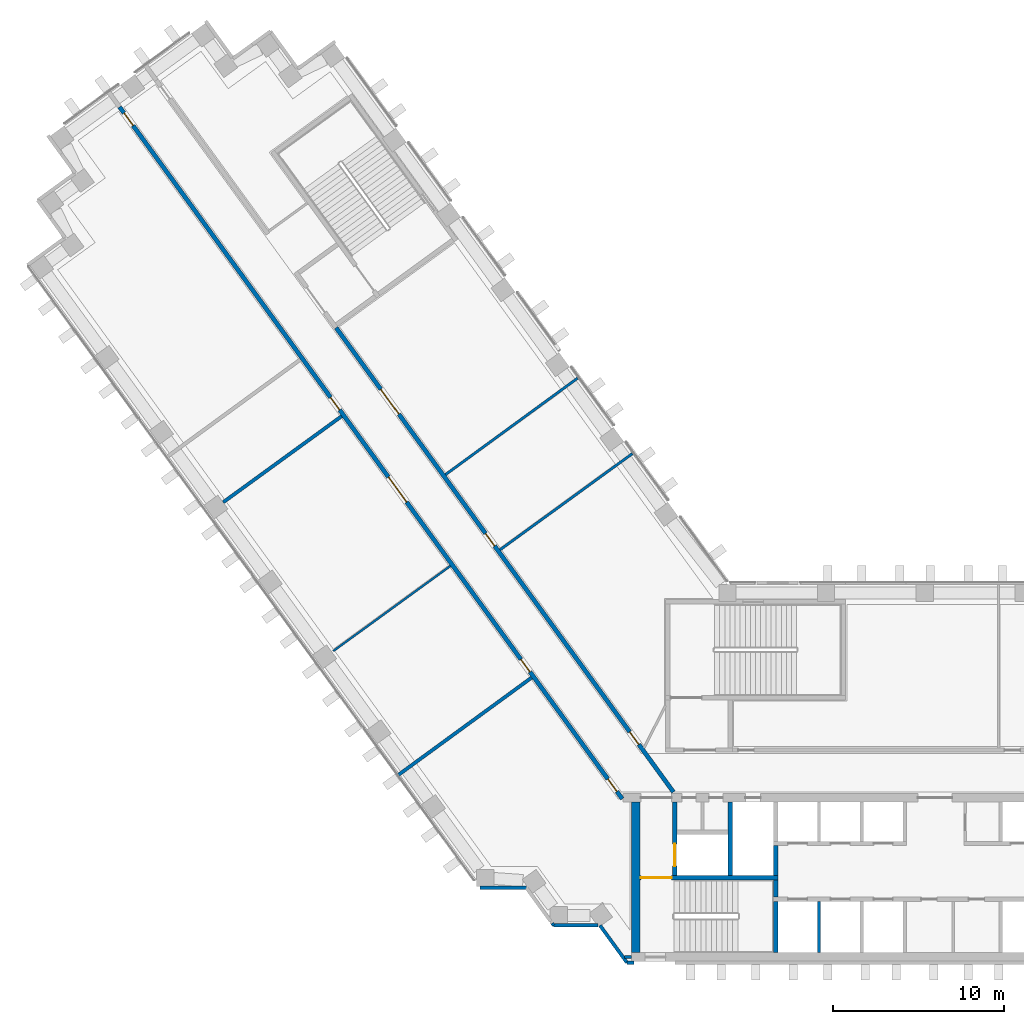
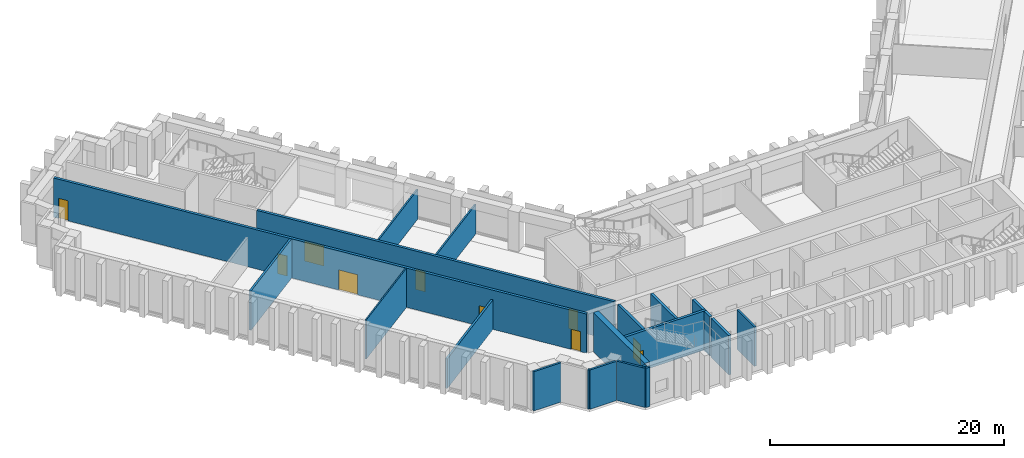
# One storey, part 6 of 15: 21 walls, 10 doors, 10 openings.
"""IFC4 building model written with IfcOpenShell, lengths in metres."""

from ifc_helpers import new_model, si_unit, direction, frame, frame_2d, origin, place, context, subcontext, project, spatial, rectangle, extrude, material, layer, layer_set, type_object, element, fill, save


model = new_model("IFC4")

# Units and contexts
model_context = context("Model", 3, precision=1e-05, world=origin(), true_north=direction((0.0, 1.0)))
body_context = subcontext(model_context, "Body", "Model", "MODEL_VIEW")
ifc_project = project(units=[si_unit("LENGTHUNIT", "METRE"), si_unit("AREAUNIT", "SQUARE_METRE"), si_unit("VOLUMEUNIT", "CUBIC_METRE"), si_unit("PLANEANGLEUNIT", "RADIAN"), si_unit("MASSUNIT", "GRAM", prefix="KILO")], contexts=[model_context])

# Site, building, storey
site_placement = place(None, origin())
site = spatial("IfcSite", under=ifc_project, at=site_placement, CompositionType="ELEMENT")
building_placement = place(site_placement, origin())
building = spatial("IfcBuilding", under=site, at=building_placement, Name="Quipu Civic Tower", CompositionType="ELEMENT")
storey_placement = place(building_placement, frame((0.0, 0.0, 11.5)))
storey = spatial("IfcBuildingStorey", under=building, at=storey_placement, Name="L02", CompositionType="ELEMENT", Elevation=11.5)

# Walls
ifc_material_1 = material(Name="Double gypsum plasterboard with mineral wool")
ifc_layer_1 = layer(ifc_material_1, 0.14990234375)
ifc_layer_set_1 = layer_set([ifc_layer_1], Name="Double gypsum plasterboard with mineral wool")
wall_type_1 = type_object("IfcWallType", Name="Acoustic partition 150 plasterboard", PredefinedType="PARTITIONING", material=ifc_layer_set_1)
for number, where, z_axis, x_axis, name in (
    (1, (-30.85009765625, 17.40087890625, 0.0), (0.0, 0.0, 1.0), (0.807661302092, 0.589646691759, 0.0), "Partition P07"),
    (2, (-19.938232421875, 18.62939453125, 0.0), (0.0, 0.0, 1.0), (-0.80900684162, -0.587799226107, 0.0), "Partition P13"),
):
    element("IfcWall", number, at=place(storey_placement, frame(where, z_axis=z_axis, x_axis=x_axis)), inside=storey, type_object=wall_type_1, Name=name, PredefinedType="PARTITIONING", context=body_context, shape_type="SweptSolid", body=[
        extrude(rectangle(XDim=9.550048828125, YDim=0.14990234375, at=frame_2d((4.77490234375, 0.0))), origin(), (0.0, 0.0, 1.0), 3.10009765625),
    ])
ifc_material_2 = material(Name="Fired clay blockwork", Category="masonry")
ifc_layer_2 = layer(ifc_material_2, 0.199951171875)
ifc_layer_set_2 = layer_set([ifc_layer_2], Name="Fired clay blockwork")
wall_type_2 = type_object("IfcWallType", Name="Blockwork wall 200", PredefinedType="SOLIDWALL", material=ifc_layer_set_2)
wall_1_placement = place(storey_placement, frame((-33.619873046875, -0.14013671875, 0.0), z_axis=(0.0, 0.0, 1.0), x_axis=(0.80760566617, 0.589722890831, 0.0)))
element("IfcWall", 3, at=wall_1_placement, inside=storey, type_object=wall_type_2, Name="Partition P06", PredefinedType="SOLIDWALL", context=body_context, shape_type="SweptSolid", body=[
    extrude(rectangle(XDim=9.65087890625, YDim=0.199951171875, at=frame_2d((4.825439453125, 0.0))), origin(), (0.0, 0.0, 1.0), 3.10009765625),
])
wall_2_placement = place(storey_placement, frame((-36.9111328125, 20.809814453125, 0.0), z_axis=(0.0, 0.0, 1.0), x_axis=(-0.809000394931, -0.587808098789, 0.0)))
element("IfcWall", 4, at=wall_2_placement, inside=storey, type_object=wall_type_2, Name="Partition P08", PredefinedType="SOLIDWALL", context=body_context, shape_type="SweptSolid", body=[
    extrude(rectangle(XDim=8.545166015625, YDim=0.199951171875, at=frame_2d((4.2724609375, 0.0))), origin(), (0.0, 0.0, 1.0), 4.10009765625),
])
ifc_material_3 = material(Name="Concrete C70/85", Category="concrete")
ifc_layer_3 = layer(ifc_material_3, 0.25)
ifc_layer_set_3 = layer_set([ifc_layer_3], Name="Concrete C70/85")
wall_type_3 = type_object("IfcWallType", Name="Core wall 250", PredefinedType="SHEAR", material=ifc_layer_set_3)
wall_3_placement = place(storey_placement, frame((-11.574951171875, -10.5, 0.0), z_axis=(0.0, 0.0, 1.0), x_axis=(0.0, 1.0, 0.0)))
element("IfcWall", 5, at=wall_3_placement, inside=storey, type_object=wall_type_3, Name="Core wall", PredefinedType="SHEAR", context=body_context, shape_type="SweptSolid", body=[
    extrude(rectangle(XDim=3.0, YDim=0.25, at=frame_2d((1.5, 0.0))), origin(), (0.0, 0.0, 1.0), 4.10009765625),
])
wall_4_placement = place(storey_placement, frame((-11.574951171875, -7.25, 0.0), z_axis=(0.0, 0.0, 1.0), x_axis=(0.0, 1.0, 0.0)))
element("IfcWall", 6, at=wall_4_placement, inside=storey, type_object=wall_type_3, Name="Core wall", PredefinedType="SHEAR", context=body_context, shape_type="SweptSolid", body=[
    extrude(rectangle(XDim=1.0, YDim=0.25, at=frame_2d((0.5, 0.0))), origin(), (0.0, 0.0, 1.0), 4.10009765625),
])

# Wall, opening, door
wall_5_placement = place(storey_placement, frame((-11.449951171875, -6.125, 0.0), z_axis=(0.0, 0.0, 1.0), x_axis=(-1.0, 0.0, 0.0)))
wall_5 = element("IfcWall", 7, at=wall_5_placement, inside=storey, type_object=wall_type_3, Name="Core wall", PredefinedType="SHEAR", context=body_context, shape_type="SweptSolid", body=[
    extrude(rectangle(XDim=8.050048828125, YDim=0.25, at=frame_2d((4.02490234375, 0.0))), origin(), (0.0, 0.0, 1.0), 4.10009765625),
])
opening_1_placement = place(wall_5_placement, frame((6.199951171875, 0.0, 0.0)))
opening_1 = element("IfcOpeningElement", 8, at=opening_1_placement, cuts=wall_5, Name="Opening CD-03", PredefinedType="OPENING", context=body_context, shape_type="SweptSolid", body=[
    extrude(rectangle(XDim=1.800048828125, YDim=2.10009765625, at=frame_2d((0.89990234375, 1.050048828125))), frame((0.0, 0.135009765625, 0.0), z_axis=(0.0, -1.0, 0.0), x_axis=(1.0, 0.0, 0.0)), (0.0, 0.0, 1.0), 0.27001953125),
])
ifc_material_4 = material(Name="Fire rated steel door", Category="steel")
door_type_1 = type_object("IfcDoorType", Name="Fire door FD90 double 1800 x 2100", OperationType="NOTDEFINED", PredefinedType="DOOR", material=ifc_material_4)
door_1_placement = place(opening_1_placement, origin())
door_1 = element("IfcDoor", 9, at=door_1_placement, inside=storey, type_object=door_type_1, Name="Door", OperationType="DOUBLE_DOOR_SINGLE_SWING", OverallHeight=2.10009765625, OverallWidth=1.800048828125, PredefinedType="DOOR", context=body_context, shape_type="SweptSolid", body=[
    extrude(rectangle(XDim=1.800048828125, YDim=2.10009765625, at=frame_2d((0.89990234375, 1.050048828125))), frame((0.0, 0.02490234375, 0.0), z_axis=(0.0, -1.0, 0.0), x_axis=(1.0, 0.0, 0.0)), (0.0, 0.0, 1.0), 0.050048828125),
])
fill(opening_1, door_1)

wall_6_placement = place(storey_placement, frame((-17.47509765625, -6.0, 0.0), z_axis=(0.0, 0.0, 1.0), x_axis=(0.0, 1.0, 0.0)))
wall_6 = element("IfcWall", 10, at=wall_6_placement, inside=storey, type_object=wall_type_3, Name="Core wall", PredefinedType="SHEAR", context=body_context, shape_type="SweptSolid", body=[
    extrude(rectangle(XDim=4.300048828125, YDim=0.25, at=frame_2d((2.14990234375, 0.0))), origin(), (0.0, 0.0, 1.0), 4.10009765625),
])
opening_2_placement = place(wall_6_placement, frame((0.550048828125, 0.0, 0.0)))
opening_2 = element("IfcOpeningElement", 11, at=opening_2_placement, cuts=wall_6, Name="Opening LD-FF1", PredefinedType="OPENING", context=body_context, shape_type="SweptSolid", body=[
    extrude(rectangle(XDim=1.300048828125, YDim=2.10009765625, at=frame_2d((0.64990234375, 1.050048828125))), frame((0.0, 0.135009765625, 0.0), z_axis=(0.0, -1.0, 0.0), x_axis=(1.0, 0.0, 0.0)), (0.0, 0.0, 1.0), 0.27001953125),
])
ifc_material_5 = material(Name="Stainless steel", Category="steel")
door_type_2 = type_object("IfcDoorType", Name="Lift landing door 1300 x 2100", OperationType="DOUBLE_DOOR_SLIDING", PredefinedType="DOOR", material=ifc_material_5)
door_2_placement = place(opening_2_placement, origin())
door_2 = element("IfcDoor", 12, at=door_2_placement, inside=storey, type_object=door_type_2, Name="Landing door FF1", OperationType="DOUBLE_DOOR_SLIDING", OverallHeight=2.10009765625, OverallWidth=1.300048828125, PredefinedType="DOOR", context=body_context, shape_type="SweptSolid", body=[
    extrude(rectangle(XDim=1.300048828125, YDim=2.10009765625, at=frame_2d((0.64990234375, 1.050048828125))), frame((0.0, 0.02490234375, 0.0), z_axis=(0.0, -1.0, 0.0), x_axis=(1.0, 0.0, 0.0)), (0.0, 0.0, 1.0), 0.050048828125),
])
fill(opening_2, door_2)

# Walls
wall_7_placement = place(storey_placement, frame((-14.22509765625, -6.0, 0.0), z_axis=(0.0, 0.0, 1.0), x_axis=(0.0, 1.0, 0.0)))
element("IfcWall", 13, at=wall_7_placement, inside=storey, type_object=wall_type_3, Name="Core wall", PredefinedType="SHEAR", context=body_context, shape_type="SweptSolid", body=[
    extrude(rectangle(XDim=4.300048828125, YDim=0.25, at=frame_2d((2.14990234375, 0.0))), origin(), (0.0, 0.0, 1.0), 4.10009765625),
])
wall_8_placement = place(storey_placement, frame((-11.574951171875, -6.0, 0.0), z_axis=(0.0, 0.0, 1.0), x_axis=(0.0, 1.0, 0.0)))
element("IfcWall", 14, at=wall_8_placement, inside=storey, type_object=wall_type_3, Name="Core wall", PredefinedType="SHEAR", context=body_context, shape_type="SweptSolid", body=[
    extrude(rectangle(XDim=1.75, YDim=0.25, at=frame_2d((0.875, 0.0))), origin(), (0.0, 0.0, 1.0), 4.10009765625),
])
ifc_material_6 = material(Name="Concrete C70/85", Category="concrete")
ifc_layer_4 = layer(ifc_material_6, 0.5)
ifc_layer_set_4 = layer_set([ifc_layer_4], Name="Concrete C70/85")
wall_type_4 = type_object("IfcWallType", Name="Core wall 500", PredefinedType="SHEAR", material=ifc_layer_set_4)
wall_9_placement = place(storey_placement, frame((-19.75, -10.5, 0.0), z_axis=(0.0, 0.0, 1.0), x_axis=(0.0, 1.0, 0.0)))
element("IfcWall", 15, at=wall_9_placement, inside=storey, type_object=wall_type_4, Name="Core wall", PredefinedType="SHEAR", context=body_context, shape_type="SweptSolid", body=[
    extrude(rectangle(XDim=8.800048828125, YDim=0.5, at=frame_2d((4.39990234375, 0.0))), origin(), (0.0, 0.0, 1.0), 4.10009765625),
])

# Wall, openings, doors
ifc_material_7 = material(Name="Concrete C50/60", Category="concrete")
ifc_layer_5 = layer(ifc_material_7, 0.25)
ifc_layer_set_5 = layer_set([ifc_layer_5], Name="Concrete C50/60")
wall_type_5 = type_object("IfcWallType", Name="Corridor wall 250 concrete", PredefinedType="SOLIDWALL", material=ifc_layer_set_5)
wall_10_placement = place(storey_placement, frame((-20.531005859375, -1.5234375, 0.0), z_axis=(0.0, 0.0, 1.0), x_axis=(-0.587784522481, 0.809017524614, 0.0)))
wall_10 = element("IfcWall", 16, at=wall_10_placement, inside=storey, type_object=wall_type_5, Name="Corridor wall C02", PredefinedType="SOLIDWALL", context=body_context, shape_type="SweptSolid", body=[
    extrude(rectangle(XDim=49.912353515625, YDim=0.25, at=frame_2d((24.9560546875, 0.0))), origin(), (0.0, 0.0, 1.0), 4.10009765625),
])
opening_3_placement = place(wall_10_placement, frame((48.5703125, 0.0, 0.0)))
opening_3 = element("IfcOpeningElement", 17, at=opening_3_placement, cuts=wall_10, Name="Opening D016", PredefinedType="OPENING", context=body_context, shape_type="SweptSolid", body=[
    extrude(rectangle(XDim=0.89990234375, YDim=2.10009765625, at=frame_2d((0.449951171875, 1.050048828125))), frame((0.0, 0.135009765625, 0.0), z_axis=(0.0, -1.0, 0.0), x_axis=(1.0, 0.0, 0.0)), (0.0, 0.0, 1.0), 0.27001953125),
])
opening_4_placement = place(wall_10_placement, frame((9.165283203125, 0.0, 0.0)))
opening_4 = element("IfcOpeningElement", 18, at=opening_4_placement, cuts=wall_10, Name="Opening D019", PredefinedType="OPENING", context=body_context, shape_type="SweptSolid", body=[
    extrude(rectangle(XDim=0.89990234375, YDim=2.10009765625, at=frame_2d((0.449951171875, 1.050048828125))), frame((0.0, 0.135009765625, 0.0), z_axis=(0.0, -1.0, 0.0), x_axis=(1.0, 0.0, 0.0)), (0.0, 0.0, 1.0), 0.27001953125),
])
opening_5_placement = place(wall_10_placement, frame((21.416015625, 0.0, 0.0)))
opening_5 = element("IfcOpeningElement", 19, at=opening_5_placement, cuts=wall_10, Name="Opening D018", PredefinedType="OPENING", context=body_context, shape_type="SweptSolid", body=[
    extrude(rectangle(XDim=1.800048828125, YDim=2.10009765625, at=frame_2d((0.89990234375, 1.050048828125))), frame((0.0, 0.135009765625, 0.0), z_axis=(0.0, -1.0, 0.0), x_axis=(1.0, 0.0, 0.0)), (0.0, 0.0, 1.0), 0.27001953125),
])
opening_6_placement = place(wall_10_placement, frame((28.06591796875, 0.0, 0.0)))
opening_6 = element("IfcOpeningElement", 20, at=opening_6_placement, cuts=wall_10, Name="Opening D017", PredefinedType="OPENING", context=body_context, shape_type="SweptSolid", body=[
    extrude(rectangle(XDim=0.89990234375, YDim=2.10009765625, at=frame_2d((0.449951171875, 1.050048828125))), frame((0.0, 0.135009765625, 0.0), z_axis=(0.0, -1.0, 0.0), x_axis=(1.0, 0.0, 0.0)), (0.0, 0.0, 1.0), 0.27001953125),
])
opening_7_placement = place(wall_10_placement, frame((0.53271484375, 0.0, 0.0)))
opening_7 = element("IfcOpeningElement", 21, at=opening_7_placement, cuts=wall_10, Name="Opening D020", PredefinedType="OPENING", context=body_context, shape_type="SweptSolid", body=[
    extrude(rectangle(XDim=0.89990234375, YDim=2.10009765625, at=frame_2d((0.449951171875, 1.050048828125))), frame((0.0, 0.135009765625, 0.0), z_axis=(0.0, -1.0, 0.0), x_axis=(1.0, 0.0, 0.0)), (0.0, 0.0, 1.0), 0.27001953125),
])
ifc_material_8 = material(Name="Fire rated timber door set with metal frame", Category="wood")
door_type_3 = type_object("IfcDoorType", Name="Double door 1800 x 2100 FD60", OperationType="DOUBLE_DOOR_SINGLE_SWING", PredefinedType="DOOR", material=ifc_material_8)
door_3_placement = place(opening_5_placement, origin())
door_3 = element("IfcDoor", 22, at=door_3_placement, inside=storey, type_object=door_type_3, Name="Door D018", OperationType="DOUBLE_DOOR_SINGLE_SWING", OverallHeight=2.10009765625, OverallWidth=1.800048828125, PredefinedType="DOOR", context=body_context, shape_type="SweptSolid", body=[
    extrude(rectangle(XDim=1.800048828125, YDim=2.10009765625, at=frame_2d((0.89990234375, 1.050048828125))), frame((0.0, 0.02490234375, 0.0), z_axis=(0.0, -1.0, 0.0), x_axis=(1.0, 0.0, 0.0)), (0.0, 0.0, 1.0), 0.050048828125),
])
fill(opening_5, door_3)
ifc_material_9 = material(Name="Fire rated timber door set with metal frame", Category="wood")
door_type_4 = type_object("IfcDoorType", Name="Single door 900 x 2100 FD60", OperationType="NOTDEFINED", PredefinedType="DOOR", material=ifc_material_9)
door_4_placement = place(opening_3_placement, origin())
door_4 = element("IfcDoor", 23, at=door_4_placement, inside=storey, type_object=door_type_4, Name="Door D016", OperationType="SINGLE_SWING_RIGHT", OverallHeight=2.10009765625, OverallWidth=0.89990234375, PredefinedType="DOOR", context=body_context, shape_type="SweptSolid", body=[
    extrude(rectangle(XDim=0.89990234375, YDim=2.10009765625, at=frame_2d((0.449951171875, 1.050048828125))), frame((0.0, 0.02490234375, 0.0), z_axis=(0.0, -1.0, 0.0), x_axis=(1.0, 0.0, 0.0)), (0.0, 0.0, 1.0), 0.050048828125),
])
fill(opening_3, door_4)
door_5_placement = place(opening_4_placement, origin())
door_5 = element("IfcDoor", 24, at=door_5_placement, inside=storey, type_object=door_type_4, Name="Door D019", OperationType="SINGLE_SWING_LEFT", OverallHeight=2.10009765625, OverallWidth=0.89990234375, PredefinedType="DOOR", context=body_context, shape_type="SweptSolid", body=[
    extrude(rectangle(XDim=0.89990234375, YDim=2.10009765625, at=frame_2d((0.449951171875, 1.050048828125))), frame((0.0, 0.02490234375, 0.0), z_axis=(0.0, -1.0, 0.0), x_axis=(1.0, 0.0, 0.0)), (0.0, 0.0, 1.0), 0.050048828125),
])
fill(opening_4, door_5)
door_6_placement = place(opening_6_placement, origin())
door_6 = element("IfcDoor", 25, at=door_6_placement, inside=storey, type_object=door_type_4, Name="Door D017", OperationType="SINGLE_SWING_LEFT", OverallHeight=2.10009765625, OverallWidth=0.89990234375, PredefinedType="DOOR", context=body_context, shape_type="SweptSolid", body=[
    extrude(rectangle(XDim=0.89990234375, YDim=2.10009765625, at=frame_2d((0.449951171875, 1.050048828125))), frame((0.0, 0.02490234375, 0.0), z_axis=(0.0, -1.0, 0.0), x_axis=(1.0, 0.0, 0.0)), (0.0, 0.0, 1.0), 0.050048828125),
])
fill(opening_6, door_6)
door_7_placement = place(opening_7_placement, origin())
door_7 = element("IfcDoor", 26, at=door_7_placement, inside=storey, type_object=door_type_4, Name="Door D020", OperationType="SINGLE_SWING_LEFT", OverallHeight=2.10009765625, OverallWidth=0.89990234375, PredefinedType="DOOR", context=body_context, shape_type="SweptSolid", body=[
    extrude(rectangle(XDim=0.89990234375, YDim=2.10009765625, at=frame_2d((0.449951171875, 1.050048828125))), frame((0.0, 0.02490234375, 0.0), z_axis=(0.0, -1.0, 0.0), x_axis=(1.0, 0.0, 0.0)), (0.0, 0.0, 1.0), 0.050048828125),
])
fill(opening_7, door_7)

wall_11_placement = place(storey_placement, frame((-37.231689453125, 25.9716796875, 0.0), z_axis=(0.0, 0.0, 1.0), x_axis=(0.587786323093, -0.809016216391, 0.0)))
wall_11 = element("IfcWall", 27, at=wall_11_placement, inside=storey, type_object=wall_type_5, Name="Corridor wall C04", PredefinedType="SOLIDWALL", context=body_context, shape_type="SweptSolid", body=[
    extrude(rectangle(XDim=33.4931640625, YDim=0.25, at=frame_2d((16.74658203125, 0.0))), origin(), (0.0, 0.0, 1.0), 4.10009765625),
])
opening_8_placement = place(wall_11_placement, frame((4.4375, 0.0, 0.0)))
opening_8 = element("IfcOpeningElement", 28, at=opening_8_placement, cuts=wall_11, Name="Opening D013", PredefinedType="OPENING", context=body_context, shape_type="SweptSolid", body=[
    extrude(rectangle(XDim=1.800048828125, YDim=2.10009765625, at=frame_2d((0.89990234375, 1.050048828125))), frame((0.0, 0.135009765625, 0.0), z_axis=(0.0, -1.0, 0.0), x_axis=(1.0, 0.0, 0.0)), (0.0, 0.0, 1.0), 0.27001953125),
])
opening_9_placement = place(wall_11_placement, frame((29.151611328125, 0.0, 0.0)))
opening_9 = element("IfcOpeningElement", 29, at=opening_9_placement, cuts=wall_11, Name="Opening D015", PredefinedType="OPENING", context=body_context, shape_type="SweptSolid", body=[
    extrude(rectangle(XDim=0.89990234375, YDim=2.10009765625, at=frame_2d((0.449951171875, 1.050048828125))), frame((0.0, 0.135009765625, 0.0), z_axis=(0.0, -1.0, 0.0), x_axis=(1.0, 0.0, 0.0)), (0.0, 0.0, 1.0), 0.27001953125),
])
opening_10_placement = place(wall_11_placement, frame((14.83544921875, 0.0, 0.0)))
opening_10 = element("IfcOpeningElement", 30, at=opening_10_placement, cuts=wall_11, Name="Opening D014", PredefinedType="OPENING", context=body_context, shape_type="SweptSolid", body=[
    extrude(rectangle(XDim=0.89990234375, YDim=2.10009765625, at=frame_2d((0.449951171875, 1.050048828125))), frame((0.0, 0.135009765625, 0.0), z_axis=(0.0, -1.0, 0.0), x_axis=(1.0, 0.0, 0.0)), (0.0, 0.0, 1.0), 0.27001953125),
])
door_8_placement = place(opening_8_placement, origin())
door_8 = element("IfcDoor", 31, at=door_8_placement, inside=storey, type_object=door_type_3, Name="Door D013", OperationType="DOUBLE_DOOR_SINGLE_SWING", OverallHeight=2.10009765625, OverallWidth=1.800048828125, PredefinedType="DOOR", context=body_context, shape_type="SweptSolid", body=[
    extrude(rectangle(XDim=1.800048828125, YDim=2.10009765625, at=frame_2d((0.89990234375, 1.050048828125))), frame((0.0, 0.02490234375, 0.0), z_axis=(0.0, -1.0, 0.0), x_axis=(1.0, 0.0, 0.0)), (0.0, 0.0, 1.0), 0.050048828125),
])
fill(opening_8, door_8)
door_9_placement = place(opening_9_placement, origin())
door_9 = element("IfcDoor", 32, at=door_9_placement, inside=storey, type_object=door_type_4, Name="Door D015", OperationType="SINGLE_SWING_RIGHT", OverallHeight=2.10009765625, OverallWidth=0.89990234375, PredefinedType="DOOR", context=body_context, shape_type="SweptSolid", body=[
    extrude(rectangle(XDim=0.89990234375, YDim=2.10009765625, at=frame_2d((0.449951171875, 1.050048828125))), frame((0.0, 0.02490234375, 0.0), z_axis=(0.0, -1.0, 0.0), x_axis=(1.0, 0.0, 0.0)), (0.0, 0.0, 1.0), 0.050048828125),
])
fill(opening_9, door_9)
door_10_placement = place(opening_10_placement, origin())
door_10 = element("IfcDoor", 33, at=door_10_placement, inside=storey, type_object=door_type_4, Name="Door D014", OperationType="SINGLE_SWING_RIGHT", OverallHeight=2.10009765625, OverallWidth=0.89990234375, PredefinedType="DOOR", context=body_context, shape_type="SweptSolid", body=[
    extrude(rectangle(XDim=0.89990234375, YDim=2.10009765625, at=frame_2d((0.449951171875, 1.050048828125))), frame((0.0, 0.02490234375, 0.0), z_axis=(0.0, -1.0, 0.0), x_axis=(1.0, 0.0, 0.0)), (0.0, 0.0, 1.0), 0.050048828125),
])
fill(opening_10, door_10)

# Walls
ifc_material_10 = material(Name="Gypsum plasterboard on light gauge framing")
ifc_layer_6 = layer(ifc_material_10, 0.1201171875)
ifc_layer_set_6 = layer_set([ifc_layer_6], Name="Gypsum plasterboard on light gauge framing")
wall_type_6 = type_object("IfcWallType", Name="Partition 120 plasterboard", PredefinedType="PARTITIONING", material=ifc_layer_set_6)
wall_12_placement = place(storey_placement, frame((-30.563232421875, 12.07177734375, 0.0), z_axis=(0.0, 0.0, 1.0), x_axis=(-0.808992136407, -0.587819464829, 0.0)))
element("IfcWall", 34, at=wall_12_placement, inside=storey, type_object=wall_type_6, Name="Partition P05", PredefinedType="PARTITIONING", context=body_context, shape_type="SweptSolid", body=[
    extrude(rectangle(XDim=8.449951171875, YDim=0.1201171875, at=frame_2d((4.22509765625, 0.0))), origin(), (0.0, 0.0, 1.0), 4.10009765625),
])
ifc_material_11 = material(Name="Precast concrete C40/50", Category="concrete")
wall_type_7 = type_object("IfcWallType", Name="Precast cladding wall", PredefinedType="SOLIDWALL", material=ifc_material_11)
wall_13_placement = place(storey_placement, frame((-28.829833984375, -6.71923828125, 0.0), z_axis=(0.0, 0.0, 1.0), x_axis=(1.0, 0.0, 0.0)))
element("IfcWall", 35, at=wall_13_placement, inside=storey, type_object=wall_type_7, Name="Precast cladding wall L02 19", PredefinedType="SOLIDWALL", context=body_context, shape_type="SweptSolid", body=[
    extrude(rectangle(XDim=2.699951171875, YDim=0.199951171875, at=frame_2d((1.35009765625, 0.0))), origin(), (0.0, 0.0, 1.0), 4.10009765625),
])
wall_14_placement = place(storey_placement, frame((-24.623779296875, -8.78369140625, 0.0), z_axis=(0.0, 0.0, 1.0), x_axis=(0.586760218966, -0.809760733451, 0.0)))
element("IfcWall", 36, at=wall_14_placement, inside=storey, type_object=wall_type_7, Name="Precast cladding wall L02 21", PredefinedType="SOLIDWALL", context=body_context, shape_type="SweptSolid", body=[
    extrude(rectangle(XDim=0.154296875, YDim=0.199951171875, at=frame_2d((0.0771484375, 0.0))), origin(), (0.0, 0.0, 1.0), 4.10009765625),
])
wall_15_placement = place(storey_placement, frame((-24.53076171875, -8.90380859375, 0.0), z_axis=(0.0, 0.0, 1.0), x_axis=(1.0, 0.0, 0.0)))
element("IfcWall", 37, at=wall_15_placement, inside=storey, type_object=wall_type_7, Name="Precast cladding wall L02 22", PredefinedType="SOLIDWALL", context=body_context, shape_type="SweptSolid", body=[
    extrude(rectangle(XDim=2.58740234375, YDim=0.199951171875, at=frame_2d((1.293701171875, 0.0))), origin(), (0.0, 0.0, 1.0), 4.10009765625),
])
wall_16_placement = place(storey_placement, frame((-21.8330078125, -8.90869140625, 0.0), z_axis=(0.0, 0.0, 1.0), x_axis=(0.587766567315, -0.809030569476, 0.0)))
element("IfcWall", 38, at=wall_16_placement, inside=storey, type_object=wall_type_7, Name="Precast cladding wall L02 23", PredefinedType="SOLIDWALL", context=body_context, shape_type="SweptSolid", body=[
    extrude(rectangle(XDim=2.687744140625, YDim=0.199951171875, at=frame_2d((1.34375, 0.0))), origin(), (0.0, 0.0, 1.0), 4.10009765625),
])
wall_17_placement = place(storey_placement, frame((-20.255859375, -11.087890625, 0.0), z_axis=(0.0, 0.0, 1.0), x_axis=(1.0, 0.0, 0.0)))
element("IfcWall", 39, at=wall_17_placement, inside=storey, type_object=wall_type_7, Name="Precast cladding wall L02 24", PredefinedType="SOLIDWALL", context=body_context, shape_type="SweptSolid", body=[
    extrude(rectangle(XDim=0.40576171875, YDim=0.199951171875, at=frame_2d((0.202880859375, 0.0))), origin(), (0.0, 0.0, 1.0), 4.10009765625),
])
wall_18_placement = place(storey_placement, frame((-19.97998046875, -10.75, 0.0), z_axis=(0.0, 0.0, 1.0), x_axis=(-1.0, 0.0, 0.0)))
element("IfcWall", 40, at=wall_18_placement, inside=storey, type_object=wall_type_7, Name="Precast cladding return L02 W", PredefinedType="SOLIDWALL", context=body_context, shape_type="SweptSolid", body=[
    extrude(rectangle(XDim=0.41650390625, YDim=0.199951171875, at=frame_2d((0.208251953125, 0.0))), origin(), (0.0, 0.0, 1.0), 4.10009765625),
])
ifc_material_12 = material(Name="Concrete C40/50", Category="concrete")
ifc_layer_7 = layer(ifc_material_12, 0.199951171875)
ifc_layer_set_7 = layer_set([ifc_layer_7], Name="Concrete C40/50")
wall_type_8 = type_object("IfcWallType", Name="Shaft wall 200", PredefinedType="SOLIDWALL", material=ifc_layer_set_7)
wall_19_placement = place(storey_placement, frame((-9.050048828125, -10.5, 0.0), z_axis=(0.0, 0.0, 1.0), x_axis=(0.0, 1.0, 0.0)))
element("IfcWall", 41, at=wall_19_placement, inside=storey, type_object=wall_type_8, Name="Shaft wall", PredefinedType="SOLIDWALL", context=body_context, shape_type="SweptSolid", body=[
    extrude(rectangle(XDim=3.0, YDim=0.199951171875, at=frame_2d((1.5, 0.0))), origin(), (0.0, 0.0, 1.0), 4.10009765625),
])

save(model, "model.ifc")
